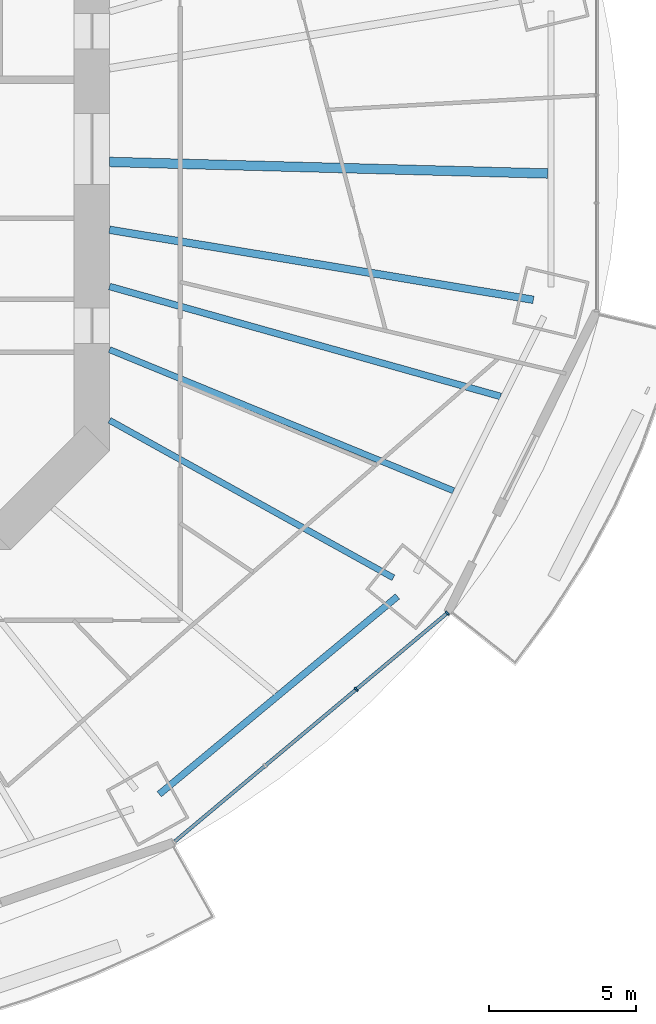
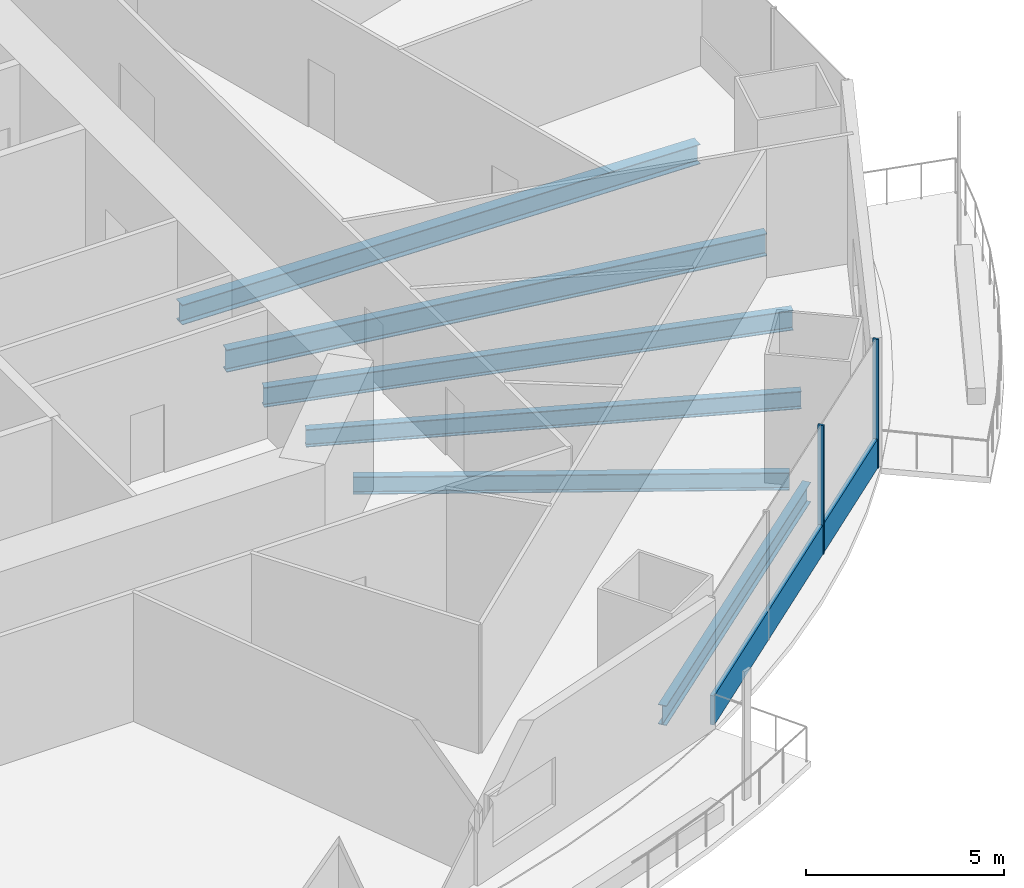
# One storey, part 5 of 21: 6 beams, 3 members, 1 element without a shape of its own.
"""IFC4 building model written with IfcOpenShell, lengths in metres."""

from ifc_helpers import new_model, si_unit, direction, frame, origin, origin_2d, place, context, subcontext, project, spatial, rectangle, i_section, extrude, material, material_profile, profile_set, type_object, element, aggregate, save


model = new_model("IFC4")

# Units and contexts
model_context = context("Model", 3, precision=1e-05, world=origin(), true_north=direction((0.0, 1.0)))
body_context = subcontext(model_context, "Body", "Model", "MODEL_VIEW")
ifc_project = project(units=[si_unit("LENGTHUNIT", "METRE"), si_unit("AREAUNIT", "SQUARE_METRE"), si_unit("VOLUMEUNIT", "CUBIC_METRE"), si_unit("PLANEANGLEUNIT", "RADIAN"), si_unit("MASSUNIT", "GRAM", prefix="KILO")], contexts=[model_context])

# Site, building, storey
site_placement = place(None, origin())
site = spatial("IfcSite", under=ifc_project, at=site_placement, CompositionType="ELEMENT")
building_placement = place(site_placement, origin())
building = spatial("IfcBuilding", under=site, at=building_placement, Name="Marenthal Gate Tower", CompositionType="ELEMENT")
storey_placement = place(building_placement, frame((0.0, 0.0, 124.300048828125)))
storey = spatial("IfcBuildingStorey", under=building, at=storey_placement, Name="L26", CompositionType="ELEMENT", Elevation=124.300048828125)

# Curtain wall, members
ifc_material_1 = material(Name="Aluminium and glass", Category="aluminium")
curtain_wall_type = type_object("IfcCurtainWallType", Name="Curtain wall typical low", PredefinedType="NOTDEFINED", material=ifc_material_1)
curtain_wall_placement = place(storey_placement, origin())
curtain_wall = element("IfcCurtainWall", 1, at=curtain_wall_placement, inside=storey, type_object=curtain_wall_type, Name="Curtain wall L26 bay 14", PredefinedType="NOTDEFINED")
ifc_material_2 = material(Name="Aluminium", Category="aluminium")
ifc_material_profile_1 = material_profile(ifc_material_2, rectangle(XDim=0.159912109375, YDim=0.06005859375, at=origin_2d()), Name="60x160 aluminium mullion")
ifc_profile_set_1 = profile_set([ifc_material_profile_1], Name="Aluminium")
member_type_1 = type_object("IfcMemberType", Name="Mullion 60x160 typical low", PredefinedType="MULLION", material=ifc_profile_set_1)
member_1_placement = place(storey_placement, frame((24.975830078125, -18.345947265625, 0.0), z_axis=(0.0, 0.0, 1.0), x_axis=(-0.642437868504, 0.766337774817, 0.0)))
member_1 = element("IfcMember", 2, at=member_1_placement, type_object=member_type_1, Name="Mullion L26 bay 14.3", PredefinedType="MULLION", context=body_context, shape_type="SweptSolid", body=[
    extrude(rectangle(XDim=0.159912109375, YDim=0.06005859375, at=origin_2d()), origin(), (0.0, 0.0, 1.0), 3.969970703125),
])
member_2_placement = place(storey_placement, frame((28.0673828125, -15.754150390625, 0.0), z_axis=(0.0, 0.0, 1.0), x_axis=(-0.642437868504, 0.766337774817, 0.0)))
member_2 = element("IfcMember", 3, at=member_2_placement, type_object=member_type_1, Name="Mullion L26 bay 14.4", PredefinedType="MULLION", context=body_context, shape_type="SweptSolid", body=[
    extrude(rectangle(XDim=0.159912109375, YDim=0.06005859375, at=origin_2d()), origin(), (0.0, 0.0, 1.0), 3.969970703125),
])
ifc_material_3 = material(Name="Aluminium", Category="aluminium")
ifc_material_profile_2 = material_profile(ifc_material_3, rectangle(XDim=0.1201171875, YDim=0.89990234375, at=origin_2d()), Name="120x900 aluminium transom")
ifc_profile_set_2 = profile_set([ifc_material_profile_2], Name="Aluminium")
member_type_2 = type_object("IfcMemberType", Name="Transom 120x900 typical low", PredefinedType="USERDEFINED", material=ifc_profile_set_2)
member_3_placement = place(storey_placement, frame((18.8154296875, -23.51025390625, 0.449951171875), z_axis=(0.766340278264, 0.642434882233, 0.0), x_axis=(-0.642434882233, 0.766340278264, 0.0)))
member_3 = element("IfcMember", 4, at=member_3_placement, type_object=member_type_2, Name="Transom L26 bay 14", ObjectType="TRANSOM", PredefinedType="USERDEFINED", context=body_context, shape_type="SweptSolid", body=[
    extrude(rectangle(XDim=0.1201171875, YDim=0.89990234375, at=origin_2d()), origin(), (0.0, 0.0, 1.0), 12.04296875),
])
aggregate(curtain_wall, [member_1, member_2, member_3])

# Beams
ifc_material_4 = material(Name="Steel S355", Category="steel")
ifc_material_profile_3 = material_profile(ifc_material_4, i_section(OverallWidth=0.2119140625, OverallDepth=0.5439453125, WebThickness=0.01318359375, FlangeThickness=0.021240234375, FilletRadius=0.0126953125, at=origin_2d()), Name="W530X123")
ifc_profile_set_3 = profile_set([ifc_material_profile_3], Name="Steel S355")
beam_type_1 = type_object("IfcBeamType", Name="W530X123 beam", PredefinedType="BEAM", material=ifc_profile_set_3)
beam_1_placement = place(storey_placement, frame((26.23779296875, -14.55810546875, -0.4521484375), z_axis=(-0.874421492378, 0.485167036872, 0.0), x_axis=(-0.485167036872, -0.874421492378, 0.0)))
element("IfcBeam", 5, at=beam_1_placement, inside=storey, type_object=beam_type_1, Name="BM-L26-15", PredefinedType="BEAM", context=body_context, shape_type="SweptSolid", body=[
    extrude(i_section(OverallWidth=0.2119140625, OverallDepth=0.5439453125, WebThickness=0.01318359375, FlangeThickness=0.021240234375, FilletRadius=0.0126953125, at=origin_2d()), origin(), (0.0, 0.0, 1.0), 11.021728515625),
])
beam_2_placement = place(storey_placement, frame((28.281005859375, -11.603515625, -0.4521484375), z_axis=(-0.925153122317, 0.379594125702, 0.0), x_axis=(-0.379594125702, -0.925153122317, 0.0)))
element("IfcBeam", 6, at=beam_2_placement, inside=storey, type_object=beam_type_1, Name="BM-L26-38", PredefinedType="BEAM", context=body_context, shape_type="SweptSolid", body=[
    extrude(i_section(OverallWidth=0.2119140625, OverallDepth=0.5439453125, WebThickness=0.01318359375, FlangeThickness=0.021240234375, FilletRadius=0.0126953125, at=origin_2d()), origin(), (0.0, 0.0, 1.0), 12.6259765625),
])
ifc_material_5 = material(Name="Steel S355", Category="steel")
ifc_material_profile_4 = material_profile(ifc_material_5, i_section(OverallWidth=0.22900390625, OverallDepth=0.612060546875, WebThickness=0.011962890625, FlangeThickness=0.01953125, FilletRadius=0.0126953125, at=origin_2d()), Name="W610X125")
ifc_profile_set_4 = profile_set([ifc_material_profile_4], Name="Steel S355")
beam_type_2 = type_object("IfcBeamType", Name="W610X125 beam", PredefinedType="BEAM", material=ifc_profile_set_4)
beam_3_placement = place(storey_placement, frame((29.87841796875, -8.401123046875, -0.486083984375), z_axis=(-0.962667661215, 0.270686117213, 0.0), x_axis=(-0.270686117213, -0.962667661215, 0.0)))
element("IfcBeam", 7, at=beam_3_placement, inside=storey, type_object=beam_type_2, Name="BM-L26-39", PredefinedType="BEAM", context=body_context, shape_type="SweptSolid", body=[
    extrude(i_section(OverallWidth=0.22900390625, OverallDepth=0.612060546875, WebThickness=0.011962890625, FlangeThickness=0.01953125, FilletRadius=0.0126953125, at=origin_2d()), origin(), (0.0, 0.0, 1.0), 13.793212890625),
])
beam_4_placement = place(storey_placement, frame((18.289794921875, -21.904541015625, -0.486083984375), z_axis=(0.769335786628, 0.638844619148, 0.0), x_axis=(-0.638844619148, 0.769335786628, 0.0)))
element("IfcBeam", 8, at=beam_4_placement, inside=storey, type_object=beam_type_2, Name="BM-L26-54", PredefinedType="BEAM", context=body_context, shape_type="SweptSolid", body=[
    extrude(i_section(OverallWidth=0.22900390625, OverallDepth=0.612060546875, WebThickness=0.011962890625, FlangeThickness=0.01953125, FilletRadius=0.0126953125, at=origin_2d()), origin(), (0.0, 0.0, 1.0), 10.510986328125),
])
ifc_material_6 = material(Name="Steel S355", Category="steel")
ifc_material_profile_5 = material_profile(ifc_material_6, i_section(OverallWidth=0.324951171875, OverallDepth=0.612060546875, WebThickness=0.0126953125, FlangeThickness=0.01904296875, FilletRadius=0.0126953125, at=origin_2d()), Name="W610X155")
ifc_profile_set_5 = profile_set([ifc_material_profile_5], Name="Steel S355")
beam_type_3 = type_object("IfcBeamType", Name="W610X155 beam", PredefinedType="BEAM", material=ifc_profile_set_5)
beam_5_placement = place(storey_placement, frame((31.479248046875, -0.831787109375, -0.486083984375), z_axis=(-0.999651246677, 0.026408048358, 0.0), x_axis=(-0.026408048358, -0.999651246677, 0.0)))
element("IfcBeam", 9, at=beam_5_placement, inside=storey, type_object=beam_type_3, Name="BM-L26-40", PredefinedType="BEAM", context=body_context, shape_type="SweptSolid", body=[
    extrude(i_section(OverallWidth=0.324951171875, OverallDepth=0.612060546875, WebThickness=0.0126953125, FlangeThickness=0.01904296875, FilletRadius=0.0126953125, at=origin_2d()), origin(), (0.0, 0.0, 1.0), 14.88427734375),
])
ifc_material_7 = material(Name="Steel S355", Category="steel")
ifc_material_profile_6 = material_profile(ifc_material_7, i_section(OverallWidth=0.257080078125, OverallDepth=0.693115234375, WebThickness=0.014404296875, FlangeThickness=0.023681640625, FilletRadius=0.015380859375, at=origin_2d()), Name="W690X170")
ifc_profile_set_6 = profile_set([ifc_material_profile_6], Name="Steel S355")
beam_type_4 = type_object("IfcBeamType", Name="W690X170 beam", PredefinedType="BEAM", material=ifc_profile_set_6)
beam_6_placement = place(storey_placement, frame((30.990478515625, -5.118896484375, -0.526611328125), z_axis=(-0.986631300462, 0.162968331122, 0.0), x_axis=(-0.162968331122, -0.986631300462, 0.0)))
element("IfcBeam", 10, at=beam_6_placement, inside=storey, type_object=beam_type_4, Name="BM-L26-16", PredefinedType="BEAM", context=body_context, shape_type="SweptSolid", body=[
    extrude(i_section(OverallWidth=0.257080078125, OverallDepth=0.693115234375, WebThickness=0.014404296875, FlangeThickness=0.023681640625, FilletRadius=0.015380859375, at=origin_2d()), origin(), (0.0, 0.0, 1.0), 14.58544921875),
])

save(model, "model.ifc")
